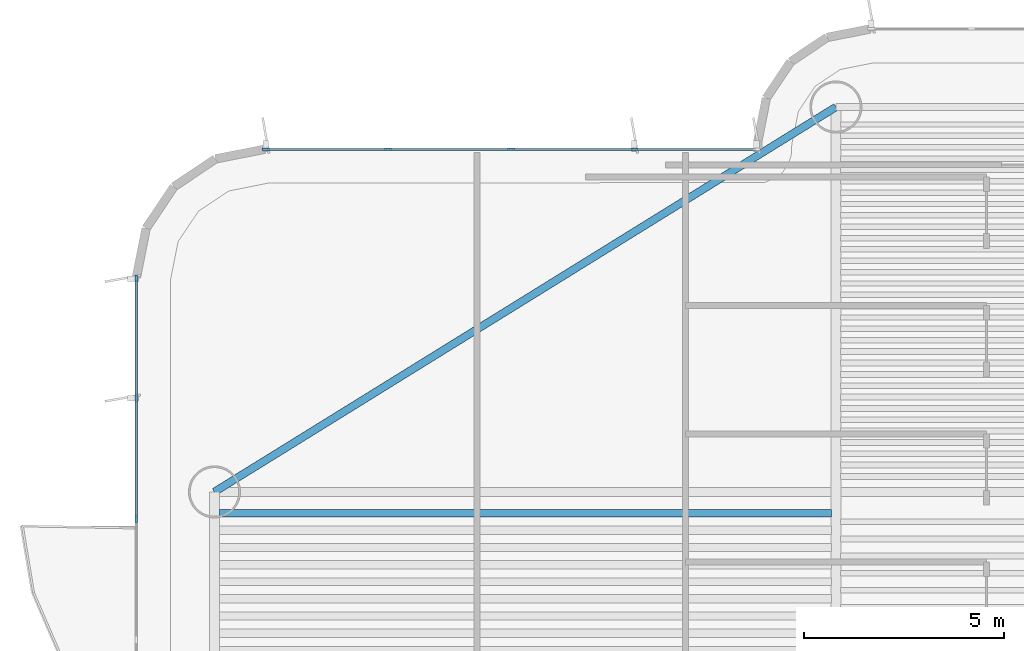
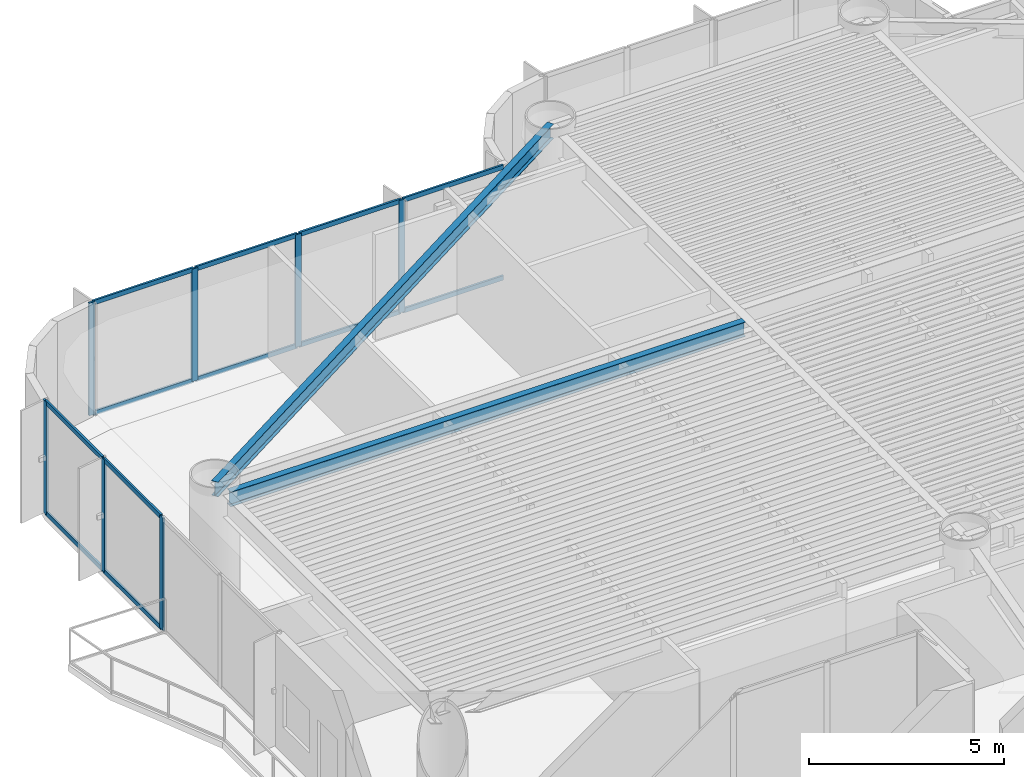
# One storey, part 5 of 16: 19 members, 2 beams, 2 elements without a shape of their own.
"""IFC4 building model written with IfcOpenShell, lengths in metres."""

from ifc_helpers import new_model, si_unit, direction, frame, origin, origin_2d, place, context, subcontext, project, spatial, rectangle, i_section, extrude, source, transform, mapped, material, layer, layer_set, material_profile, profile_set, type_object, element, aggregate, save


model = new_model("IFC4")

# Units and contexts
model_context = context("Model", 3, precision=1e-05, world=origin(), true_north=direction((0.0, 1.0)))
body_context = subcontext(model_context, "Body", "Model", "MODEL_VIEW")
ifc_project = project(units=[si_unit("LENGTHUNIT", "METRE"), si_unit("AREAUNIT", "SQUARE_METRE"), si_unit("VOLUMEUNIT", "CUBIC_METRE"), si_unit("PLANEANGLEUNIT", "RADIAN"), si_unit("MASSUNIT", "GRAM", prefix="KILO")], contexts=[model_context])

# Site, building, storey
site_placement = place(None, origin())
site = spatial("IfcSite", under=ifc_project, at=site_placement, CompositionType="ELEMENT")
building_placement = place(site_placement, origin())
building = spatial("IfcBuilding", under=site, at=building_placement, Name="Brelvock Crest Care Tower", CompositionType="ELEMENT")
storey_placement = place(building_placement, frame((0.0, 0.0, 104.93994140625)))
storey = spatial("IfcBuildingStorey", under=building, at=storey_placement, Name="L26", CompositionType="ELEMENT", Elevation=104.93994140625)

# Beams
ifc_material_1 = material(Name="Steel Grade 350", Category="steel")
ifc_material_profile_1 = material_profile(ifc_material_1, i_section(OverallWidth=0.19091796875, OverallDepth=0.4599609375, WebThickness=0.010009765625, FlangeThickness=0.01611328125, FilletRadius=0.011474609375, at=origin_2d()), Name="460UB82.1")
ifc_profile_set_1 = profile_set([ifc_material_profile_1], Name="Steel Grade 350")
beam_type_1 = type_object("IfcBeamType", Name="BM-G3", PredefinedType="BEAM", material=ifc_profile_set_1)
shared_shape_1 = source(origin(), body_context, "Body", "SweptSolid", [
    extrude(i_section(OverallWidth=0.19091796875, OverallDepth=0.4599609375, WebThickness=0.010009765625, FlangeThickness=0.01611328125, FilletRadius=0.011474609375, at=origin_2d()), origin(), (0.0, 0.0, 1.0), 15.27001953125),
])
beam_1_placement = place(storey_placement, frame((15.965087890625, 38.317626953125, 3.300048828125), z_axis=(1.0, 0.0, 0.0), x_axis=(0.0, 1.0, 0.0)))
element("IfcBeam", 1, at=beam_1_placement, inside=storey, type_object=beam_type_1, Name="BM-JW-L26-26", PredefinedType="BEAM", context=body_context, shape_type="MappedRepresentation", body=[
    mapped(shared_shape_1, transform((0.0, 0.0, 0.0), x_axis=(1.0, 0.0, 0.0), y_axis=(0.0, 1.0, 0.0), z_axis=(0.0, 0.0, 1.0), scale=1.0)),
])
ifc_material_profile_2 = material_profile(ifc_material_1, i_section(OverallWidth=0.19091796875, OverallDepth=0.4599609375, WebThickness=0.010009765625, FlangeThickness=0.01611328125, FilletRadius=0.011474609375, at=origin_2d()), Name="460UB82.1")
ifc_profile_set_2 = profile_set([ifc_material_profile_2], Name="Steel Grade 350")
beam_type_2 = type_object("IfcBeamType", Name="BM-SP2", PredefinedType="SPANDREL", material=ifc_profile_set_2)
shared_shape_2 = source(origin(), body_context, "Body", "SweptSolid", [
    extrude(i_section(OverallWidth=0.19091796875, OverallDepth=0.4599609375, WebThickness=0.010009765625, FlangeThickness=0.01611328125, FilletRadius=0.011474609375, at=origin_2d()), origin(), (0.0, 0.0, 1.0), 18.23193359375),
])
beam_2_placement = place(storey_placement, frame((15.85009765625, 38.85009765625, 3.300048828125), z_axis=(0.85015183248, 0.526537616635, 0.0), x_axis=(-0.526537616635, 0.85015183248, 0.0)))
element("IfcBeam", 2, at=beam_2_placement, inside=storey, type_object=beam_type_2, Name="BM-TWR-L26-06", PredefinedType="SPANDREL", context=body_context, shape_type="MappedRepresentation", body=[
    mapped(shared_shape_2, transform((0.0, 0.0, 0.0), x_axis=(1.0, 0.0, 0.0), y_axis=(0.0, 1.0, 0.0), z_axis=(0.0, 0.0, 1.0), scale=1.0)),
])

# Curtain wall, members
ifc_material_2 = material(Name="Dark Glass Double Glazed Low-E", Category="glass")
ifc_layer = layer(ifc_material_2, 0.2099609375, Name="CWS-3")
ifc_layer_set = layer_set([ifc_layer], Name="Dark Glass Double Glazed Low-E")
curtain_wall_type = type_object("IfcCurtainWallType", Name="CWS-3", PredefinedType="NOTDEFINED", material=ifc_layer_set)
curtain_wall_1_placement = place(storey_placement, origin())
curtain_wall_1 = element("IfcCurtainWall", 3, at=curtain_wall_1_placement, inside=storey, type_object=curtain_wall_type, Name="L26 Curtain Wall E17B", PredefinedType="NOTDEFINED")
ifc_material_3 = material(Name="Aluminium 6063-T6", Category="aluminium")
ifc_material_profile_3 = material_profile(ifc_material_3, rectangle(XDim=0.06005859375, YDim=0.179931640625, at=origin_2d()), Name="ALU60x180")
ifc_profile_set_3 = profile_set([ifc_material_profile_3], Name="Aluminium 6063-T6")
member_type_1 = type_object("IfcMemberType", Name="CWM-2", PredefinedType="MULLION", material=ifc_profile_set_3)
shared_shape_3 = source(origin(), body_context, "Body", "SweptSolid", [
    extrude(rectangle(XDim=0.06005859375, YDim=0.179931640625, at=origin_2d()), origin(), (0.0, 0.0, 1.0), 3.530029296875),
])
member_1_placement = place(storey_placement, frame((13.89990234375, 38.175048828125, 0.0), z_axis=(0.0, 0.0, 1.0), x_axis=(-1.0, 0.0, 0.0)))
member_1 = element("IfcMember", 4, at=member_1_placement, type_object=member_type_1, Name="CW-3 mullion 3", PredefinedType="MULLION", context=body_context, shape_type="MappedRepresentation", body=[
    mapped(shared_shape_3, transform((0.0, 0.0, 0.0), x_axis=(1.0, 0.0, 0.0), y_axis=(0.0, 1.0, 0.0), z_axis=(0.0, 0.0, 1.0), scale=1.0)),
])
member_2_placement = place(storey_placement, frame((13.89990234375, 41.1875, 0.0), z_axis=(0.0, 0.0, 1.0), x_axis=(-1.0, 0.0, 0.0)))
member_2 = element("IfcMember", 5, at=member_2_placement, type_object=member_type_1, Name="CW-3 mullion 4", PredefinedType="MULLION", context=body_context, shape_type="MappedRepresentation", body=[
    mapped(shared_shape_3, transform((0.0, 0.0, 0.0), x_axis=(1.0, 0.0, 0.0), y_axis=(0.0, 1.0, 0.0), z_axis=(0.0, 0.0, 1.0), scale=1.0)),
])
member_3_placement = place(storey_placement, frame((13.89990234375, 44.169921875, 0.0), z_axis=(0.0, 0.0, 1.0), x_axis=(-1.0, 0.0, 0.0)))
member_3 = element("IfcMember", 6, at=member_3_placement, type_object=member_type_1, Name="CW-3 mullion 5", PredefinedType="MULLION", context=body_context, shape_type="MappedRepresentation", body=[
    mapped(shared_shape_3, transform((0.0, 0.0, 0.0), x_axis=(1.0, 0.0, 0.0), y_axis=(0.0, 1.0, 0.0), z_axis=(0.0, 0.0, 1.0), scale=1.0)),
])

curtain_wall_2_placement = place(storey_placement, origin())
curtain_wall_2 = element("IfcCurtainWall", 7, at=curtain_wall_2_placement, inside=storey, type_object=curtain_wall_type, Name="L26 Curtain Wall E22", PredefinedType="NOTDEFINED")
member_4_placement = place(storey_placement, frame((17.1298828125, 47.39990234375, 0.0), z_axis=(0.0, 0.0, 1.0), x_axis=(0.0, 1.0, 0.0)))
member_4 = element("IfcMember", 8, at=member_4_placement, type_object=member_type_1, Name="CW-3 mullion 1", PredefinedType="MULLION", context=body_context, shape_type="MappedRepresentation", body=[
    mapped(shared_shape_3, transform((0.0, 0.0, 0.0), x_axis=(1.0, 0.0, 0.0), y_axis=(0.0, 1.0, 0.0), z_axis=(0.0, 0.0, 1.0), scale=1.0)),
])
member_5_placement = place(storey_placement, frame((20.175048828125, 47.39990234375, 0.0), z_axis=(0.0, 0.0, 1.0), x_axis=(0.0, 1.0, 0.0)))
member_5 = element("IfcMember", 9, at=member_5_placement, type_object=member_type_1, Name="CW-3 mullion 2", PredefinedType="MULLION", context=body_context, shape_type="MappedRepresentation", body=[
    mapped(shared_shape_3, transform((0.0, 0.0, 0.0), x_axis=(1.0, 0.0, 0.0), y_axis=(0.0, 1.0, 0.0), z_axis=(0.0, 0.0, 1.0), scale=1.0)),
])
member_6_placement = place(storey_placement, frame((23.25, 47.39990234375, 0.0), z_axis=(0.0, 0.0, 1.0), x_axis=(0.0, 1.0, 0.0)))
member_6 = element("IfcMember", 10, at=member_6_placement, type_object=member_type_1, Name="CW-3 mullion 3", PredefinedType="MULLION", context=body_context, shape_type="MappedRepresentation", body=[
    mapped(shared_shape_3, transform((0.0, 0.0, 0.0), x_axis=(1.0, 0.0, 0.0), y_axis=(0.0, 1.0, 0.0), z_axis=(0.0, 0.0, 1.0), scale=1.0)),
])
member_7_placement = place(storey_placement, frame((26.324951171875, 47.39990234375, 0.0), z_axis=(0.0, 0.0, 1.0), x_axis=(0.0, 1.0, 0.0)))
member_7 = element("IfcMember", 11, at=member_7_placement, type_object=member_type_1, Name="CW-3 mullion 4", PredefinedType="MULLION", context=body_context, shape_type="MappedRepresentation", body=[
    mapped(shared_shape_3, transform((0.0, 0.0, 0.0), x_axis=(1.0, 0.0, 0.0), y_axis=(0.0, 1.0, 0.0), z_axis=(0.0, 0.0, 1.0), scale=1.0)),
])

# Member
ifc_material_profile_4 = material_profile(ifc_material_3, rectangle(XDim=0.06005859375, YDim=0.139892578125, at=origin_2d()), Name="ALU60x140")
ifc_profile_set_4 = profile_set([ifc_material_profile_4], Name="Aluminium 6063-T6")
member_type_2 = type_object("IfcMemberType", Name="CWT-2", PredefinedType="USERDEFINED", material=ifc_profile_set_4)
shared_shape_4 = source(origin(), body_context, "Body", "SweptSolid", [
    extrude(rectangle(XDim=0.06005859375, YDim=0.139892578125, at=origin_2d()), origin(), (0.0, 0.0, 1.0), 2.952392578125),
])
member_8_placement = place(storey_placement, frame((13.89990234375, 38.205078125, 0.030029296875), z_axis=(0.0, 1.0, 0.0), x_axis=(-1.0, 0.0, 0.0)))
member_8 = element("IfcMember", 12, at=member_8_placement, type_object=member_type_2, Name="CW-3 transom 3.1", ObjectType="TRANSOM", PredefinedType="USERDEFINED", context=body_context, shape_type="MappedRepresentation", body=[
    mapped(shared_shape_4, transform((0.0, 0.0, 0.0), x_axis=(1.0, 0.0, 0.0), y_axis=(0.0, 1.0, 0.0), z_axis=(0.0, 0.0, 1.0), scale=1.0)),
])

member_9_placement = place(storey_placement, frame((13.89990234375, 38.205078125, 3.5), z_axis=(0.0, 1.0, 0.0), x_axis=(-1.0, 0.0, 0.0)))
member_9 = element("IfcMember", 13, at=member_9_placement, type_object=member_type_2, Name="CW-3 transom 3.2", ObjectType="TRANSOM", PredefinedType="USERDEFINED", context=body_context, shape_type="MappedRepresentation", body=[
    mapped(shared_shape_4, transform((0.0, 0.0, 0.0), x_axis=(1.0, 0.0, 0.0), y_axis=(0.0, 1.0, 0.0), z_axis=(0.0, 0.0, 1.0), scale=1.0)),
])

shared_shape_5 = source(origin(), body_context, "Body", "SweptSolid", [
    extrude(rectangle(XDim=0.06005859375, YDim=0.139892578125, at=origin_2d()), origin(), (0.0, 0.0, 1.0), 2.92236328125),
])
member_10_placement = place(storey_placement, frame((13.89990234375, 41.217529296875, 0.030029296875), z_axis=(0.0, 1.0, 0.0), x_axis=(-1.0, 0.0, 0.0)))
member_10 = element("IfcMember", 14, at=member_10_placement, type_object=member_type_2, Name="CW-3 transom 4.1", ObjectType="TRANSOM", PredefinedType="USERDEFINED", context=body_context, shape_type="MappedRepresentation", body=[
    mapped(shared_shape_5, transform((0.0, 0.0, 0.0), x_axis=(1.0, 0.0, 0.0), y_axis=(0.0, 1.0, 0.0), z_axis=(0.0, 0.0, 1.0), scale=1.0)),
])

member_11_placement = place(storey_placement, frame((13.89990234375, 41.217529296875, 3.5), z_axis=(0.0, 1.0, 0.0), x_axis=(-1.0, 0.0, 0.0)))
member_11 = element("IfcMember", 15, at=member_11_placement, type_object=member_type_2, Name="CW-3 transom 4.2", ObjectType="TRANSOM", PredefinedType="USERDEFINED", context=body_context, shape_type="MappedRepresentation", body=[
    mapped(shared_shape_5, transform((0.0, 0.0, 0.0), x_axis=(1.0, 0.0, 0.0), y_axis=(0.0, 1.0, 0.0), z_axis=(0.0, 0.0, 1.0), scale=1.0)),
])

aggregate(curtain_wall_1, [member_1, member_2, member_3, member_8, member_9, member_10, member_11])

shared_shape_6 = source(origin(), body_context, "Body", "SweptSolid", [
    extrude(rectangle(XDim=0.06005859375, YDim=0.139892578125, at=origin_2d()), origin(), (0.0, 0.0, 1.0), 2.985107421875),
])
member_12_placement = place(storey_placement, frame((17.159912109375, 47.39990234375, 0.030029296875), z_axis=(1.0, 0.0, 0.0), x_axis=(0.0, 1.0, 0.0)))
member_12 = element("IfcMember", 16, at=member_12_placement, type_object=member_type_2, Name="CW-3 transom 1.1", ObjectType="TRANSOM", PredefinedType="USERDEFINED", context=body_context, shape_type="MappedRepresentation", body=[
    mapped(shared_shape_6, transform((0.0, 0.0, 0.0), x_axis=(1.0, 0.0, 0.0), y_axis=(0.0, 1.0, 0.0), z_axis=(0.0, 0.0, 1.0), scale=1.0)),
])

member_13_placement = place(storey_placement, frame((17.159912109375, 47.39990234375, 3.5), z_axis=(1.0, 0.0, 0.0), x_axis=(0.0, 1.0, 0.0)))
member_13 = element("IfcMember", 17, at=member_13_placement, type_object=member_type_2, Name="CW-3 transom 1.2", ObjectType="TRANSOM", PredefinedType="USERDEFINED", context=body_context, shape_type="MappedRepresentation", body=[
    mapped(shared_shape_6, transform((0.0, 0.0, 0.0), x_axis=(1.0, 0.0, 0.0), y_axis=(0.0, 1.0, 0.0), z_axis=(0.0, 0.0, 1.0), scale=1.0)),
])

member_14_placement = place(storey_placement, frame((26.35498046875, 47.39990234375, 0.030029296875), z_axis=(1.0, 0.0, 0.0), x_axis=(0.0, 1.0, 0.0)))
member_14 = element("IfcMember", 18, at=member_14_placement, type_object=member_type_2, Name="CW-3 transom 4.1", ObjectType="TRANSOM", PredefinedType="USERDEFINED", context=body_context, shape_type="MappedRepresentation", body=[
    mapped(shared_shape_6, transform((0.0, 0.0, 0.0), x_axis=(1.0, 0.0, 0.0), y_axis=(0.0, 1.0, 0.0), z_axis=(0.0, 0.0, 1.0), scale=1.0)),
])

member_15_placement = place(storey_placement, frame((26.35498046875, 47.39990234375, 3.5), z_axis=(1.0, 0.0, 0.0), x_axis=(0.0, 1.0, 0.0)))
member_15 = element("IfcMember", 19, at=member_15_placement, type_object=member_type_2, Name="CW-3 transom 4.2", ObjectType="TRANSOM", PredefinedType="USERDEFINED", context=body_context, shape_type="MappedRepresentation", body=[
    mapped(shared_shape_6, transform((0.0, 0.0, 0.0), x_axis=(1.0, 0.0, 0.0), y_axis=(0.0, 1.0, 0.0), z_axis=(0.0, 0.0, 1.0), scale=1.0)),
])

shared_shape_7 = source(origin(), body_context, "Body", "SweptSolid", [
    extrude(rectangle(XDim=0.06005859375, YDim=0.139892578125, at=origin_2d()), origin(), (0.0, 0.0, 1.0), 3.014892578125),
])
member_16_placement = place(storey_placement, frame((20.205078125, 47.39990234375, 0.030029296875), z_axis=(1.0, 0.0, 0.0), x_axis=(0.0, 1.0, 0.0)))
member_16 = element("IfcMember", 20, at=member_16_placement, type_object=member_type_2, Name="CW-3 transom 2.1", ObjectType="TRANSOM", PredefinedType="USERDEFINED", context=body_context, shape_type="MappedRepresentation", body=[
    mapped(shared_shape_7, transform((0.0, 0.0, 0.0), x_axis=(1.0, 0.0, 0.0), y_axis=(0.0, 1.0, 0.0), z_axis=(0.0, 0.0, 1.0), scale=1.0)),
])

member_17_placement = place(storey_placement, frame((20.205078125, 47.39990234375, 3.5), z_axis=(1.0, 0.0, 0.0), x_axis=(0.0, 1.0, 0.0)))
member_17 = element("IfcMember", 21, at=member_17_placement, type_object=member_type_2, Name="CW-3 transom 2.2", ObjectType="TRANSOM", PredefinedType="USERDEFINED", context=body_context, shape_type="MappedRepresentation", body=[
    mapped(shared_shape_7, transform((0.0, 0.0, 0.0), x_axis=(1.0, 0.0, 0.0), y_axis=(0.0, 1.0, 0.0), z_axis=(0.0, 0.0, 1.0), scale=1.0)),
])

member_18_placement = place(storey_placement, frame((23.280029296875, 47.39990234375, 0.030029296875), z_axis=(1.0, 0.0, 0.0), x_axis=(0.0, 1.0, 0.0)))
member_18 = element("IfcMember", 22, at=member_18_placement, type_object=member_type_2, Name="CW-3 transom 3.1", ObjectType="TRANSOM", PredefinedType="USERDEFINED", context=body_context, shape_type="MappedRepresentation", body=[
    mapped(shared_shape_7, transform((0.0, 0.0, 0.0), x_axis=(1.0, 0.0, 0.0), y_axis=(0.0, 1.0, 0.0), z_axis=(0.0, 0.0, 1.0), scale=1.0)),
])

member_19_placement = place(storey_placement, frame((23.280029296875, 47.39990234375, 3.5), z_axis=(1.0, 0.0, 0.0), x_axis=(0.0, 1.0, 0.0)))
member_19 = element("IfcMember", 23, at=member_19_placement, type_object=member_type_2, Name="CW-3 transom 3.2", ObjectType="TRANSOM", PredefinedType="USERDEFINED", context=body_context, shape_type="MappedRepresentation", body=[
    mapped(shared_shape_7, transform((0.0, 0.0, 0.0), x_axis=(1.0, 0.0, 0.0), y_axis=(0.0, 1.0, 0.0), z_axis=(0.0, 0.0, 1.0), scale=1.0)),
])

aggregate(curtain_wall_2, [member_4, member_5, member_6, member_7, member_12, member_13, member_16, member_17, member_18, member_19, member_14, member_15])

save(model, "model.ifc")
